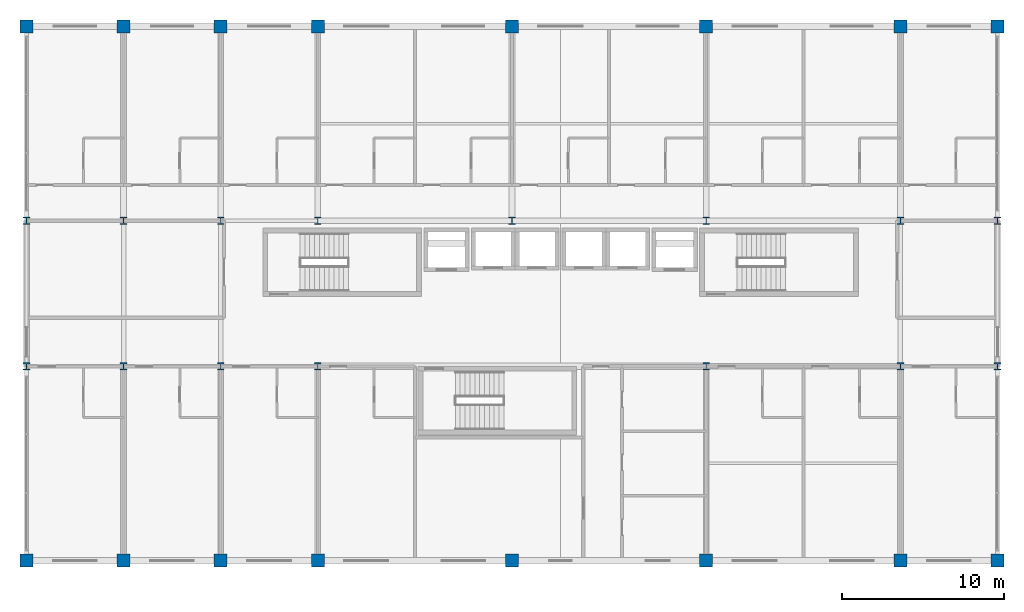
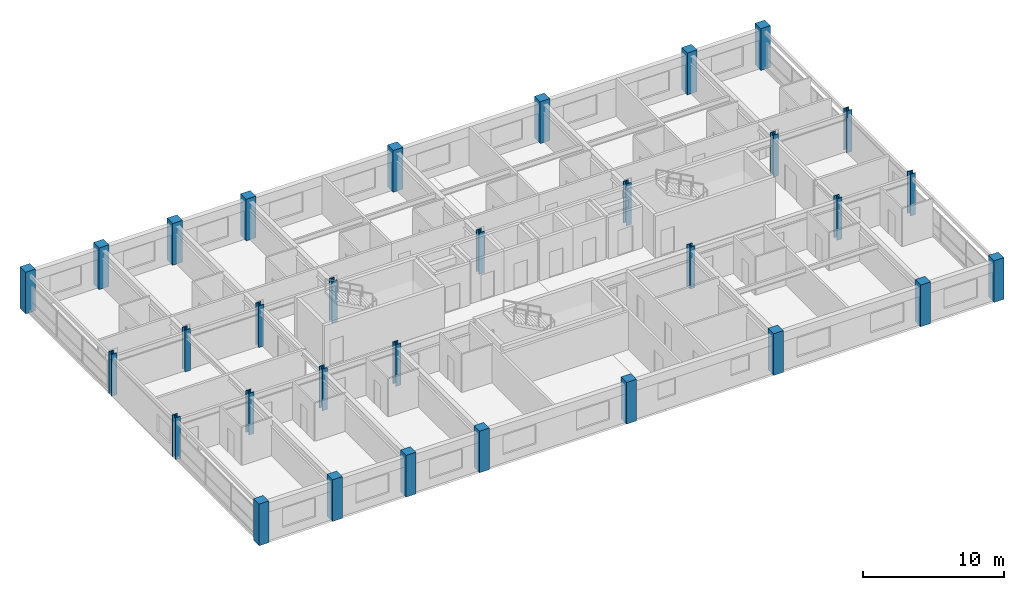
# One storey, part 1 of 26: 31 columns.
"""IFC4 building model written with IfcOpenShell, lengths in metres."""

from ifc_helpers import new_model, si_unit, direction, frame, origin, origin_2d, place, context, subcontext, project, spatial, rectangle, i_section, extrude, material, material_profile, profile_set, type_object, element, save


model = new_model("IFC4")

# Units and contexts
model_context = context("Model", 3, precision=1e-05, world=origin(), true_north=direction((0.0, 1.0)))
body_context = subcontext(model_context, "Body", "Model", "MODEL_VIEW")
ifc_project = project(units=[si_unit("LENGTHUNIT", "METRE"), si_unit("AREAUNIT", "SQUARE_METRE"), si_unit("VOLUMEUNIT", "CUBIC_METRE"), si_unit("PLANEANGLEUNIT", "RADIAN"), si_unit("MASSUNIT", "GRAM", prefix="KILO")], contexts=[model_context])

# Site, building, storey
site_placement = place(None, origin())
site = spatial("IfcSite", under=ifc_project, at=site_placement, CompositionType="ELEMENT")
building_placement = place(site_placement, origin())
building = spatial("IfcBuilding", under=site, at=building_placement, Name="Kaldorvane Square Convention Centre", CompositionType="ELEMENT")
storey_placement = place(building_placement, frame((0.0, 0.0, 42.0)))
storey = spatial("IfcBuildingStorey", under=building, at=storey_placement, Name="L09", CompositionType="ELEMENT", Elevation=42.0)

# Columns
ifc_material_1 = material(Name="Concrete f'c = 42 MPa (Normalweight)", Category="concrete")
ifc_material_profile_1 = material_profile(ifc_material_1, rectangle(XDim=0.8000030517578125, YDim=0.8000030517578125, at=origin_2d()), Name="RC800X800")
ifc_profile_set_1 = profile_set([ifc_material_profile_1], Name="Concrete f'c = 42 MPa (Normalweight)")
column_type_1 = type_object("IfcColumnType", Name="COL-RC-800", PredefinedType="COLUMN", material=ifc_profile_set_1)
for number, where, z_axis, x_axis, name in (
    (1, (24.0, 84.0, 0.0), (0.0, 0.0, 1.0), (1.0, 0.0, 0.0), "Column CC-04 (L09)"),
    (2, (24.0, 117.0, 0.0), (0.0, 0.0, 1.0), (1.0, 0.0, 0.0), "Column CC-04 (L09)"),
    (3, (30.0, 84.0, 0.0), (0.0, 0.0, 1.0), (1.0, 0.0, 0.0), "Column CC-04 (L09)"),
    (4, (30.0, 117.0, 0.0), (0.0, 0.0, 1.0), (1.0, 0.0, 0.0), "Column CC-04 (L09)"),
    (5, (36.0, 84.0, 0.0), (0.0, 0.0, 1.0), (1.0, 0.0, 0.0), "Column CC-04 (L09)"),
    (6, (36.0, 117.0, 0.0), (0.0, 0.0, 1.0), (1.0, 0.0, 0.0), "Column CC-04 (L09)"),
    (7, (42.0, 84.0, 0.0), (0.0, 0.0, 1.0), (1.0, 0.0, 0.0), "Column CC-04 (L09)"),
    (8, (42.0, 117.0, 0.0), (0.0, 0.0, 1.0), (1.0, 0.0, 0.0), "Column CC-04 (L09)"),
    (9, (54.0, 84.0, 0.0), (0.0, 0.0, 1.0), (1.0, 0.0, 0.0), "Column CC-04 (L09)"),
    (10, (54.0, 117.0, 0.0), (0.0, 0.0, 1.0), (1.0, 0.0, 0.0), "Column CC-04 (L09)"),
    (11, (66.0, 84.0, 0.0), (0.0, 0.0, 1.0), (1.0, 0.0, 0.0), "Column CC-04 (L09)"),
    (12, (66.0, 117.0, 0.0), (0.0, 0.0, 1.0), (1.0, 0.0, 0.0), "Column CC-04 (L09)"),
    (13, (78.0, 84.0, 0.0), (0.0, 0.0, 1.0), (1.0, 0.0, 0.0), "Column CC-04 (L09)"),
    (14, (78.0, 117.0, 0.0), (0.0, 0.0, 1.0), (1.0, 0.0, 0.0), "Column CC-04 (L09)"),
    (15, (84.0, 84.0, 0.0), (0.0, 0.0, 1.0), (1.0, 0.0, 0.0), "Column CC-04 (L09)"),
    (16, (84.0, 117.0, 0.0), (0.0, 0.0, 1.0), (1.0, 0.0, 0.0), "Column CC-04 (L09)"),
):
    element("IfcColumn", number, at=place(storey_placement, frame(where, z_axis=z_axis, x_axis=x_axis)), inside=storey, type_object=column_type_1, Name=name, PredefinedType="COLUMN", context=body_context, shape_type="SweptSolid", body=[
        extrude(rectangle(XDim=0.8000030517578125, YDim=0.8000030517578125, at=origin_2d()), origin(), (0.0, 0.0, 1.0), 3.600006103515625),
    ])
ifc_material_2 = material(Name="Steel ASTM A992 Gr. 50", Category="steel")
ifc_material_profile_2 = material_profile(ifc_material_2, i_section(OverallWidth=0.4185028076171875, OverallDepth=0.4552001953125, WebThickness=0.0420074462890625, FlangeThickness=0.067596435546875, FilletRadius=0.0305023193359375, at=origin_2d()), Name="W14X370")
ifc_profile_set_2 = profile_set([ifc_material_profile_2], Name="Steel ASTM A992 Gr. 50")
column_type_2 = type_object("IfcColumnType", Name="COL-STL-370", PredefinedType="COLUMN", material=ifc_profile_set_2)
for number, where, z_axis, x_axis, name in (
    (17, (24.0, 96.0, 0.0), (0.0, 0.0, 1.0), (1.0, 0.0, 0.0), "Column SC-05 (L09)"),
    (18, (24.0, 105.0, 0.0), (0.0, 0.0, 1.0), (1.0, 0.0, 0.0), "Column SC-05 (L09)"),
    (19, (30.0, 96.0, 0.0), (0.0, 0.0, 1.0), (1.0, 0.0, 0.0), "Column SC-05 (L09)"),
    (20, (30.0, 105.0, 0.0), (0.0, 0.0, 1.0), (1.0, 0.0, 0.0), "Column SC-05 (L09)"),
    (21, (36.0, 96.0, 0.0), (0.0, 0.0, 1.0), (1.0, 0.0, 0.0), "Column SC-05 (L09)"),
    (22, (36.0, 105.0, 0.0), (0.0, 0.0, 1.0), (1.0, 0.0, 0.0), "Column SC-05 (L09)"),
    (23, (42.0, 96.0, 0.0), (0.0, 0.0, 1.0), (1.0, 0.0, 0.0), "Column SC-05 (L09)"),
    (24, (42.0, 105.0, 0.0), (0.0, 0.0, 1.0), (1.0, 0.0, 0.0), "Column SC-05 (L09)"),
    (25, (54.0, 105.0, 0.0), (0.0, 0.0, 1.0), (1.0, 0.0, 0.0), "Column SC-05 (L09)"),
    (26, (66.0, 96.0, 0.0), (0.0, 0.0, 1.0), (1.0, 0.0, 0.0), "Column SC-05 (L09)"),
    (27, (66.0, 105.0, 0.0), (0.0, 0.0, 1.0), (1.0, 0.0, 0.0), "Column SC-05 (L09)"),
    (28, (78.0, 96.0, 0.0), (0.0, 0.0, 1.0), (1.0, 0.0, 0.0), "Column SC-05 (L09)"),
    (29, (78.0, 105.0, 0.0), (0.0, 0.0, 1.0), (1.0, 0.0, 0.0), "Column SC-05 (L09)"),
    (30, (84.0, 96.0, 0.0), (0.0, 0.0, 1.0), (1.0, 0.0, 0.0), "Column SC-05 (L09)"),
    (31, (84.0, 105.0, 0.0), (0.0, 0.0, 1.0), (1.0, 0.0, 0.0), "Column SC-05 (L09)"),
):
    element("IfcColumn", number, at=place(storey_placement, frame(where, z_axis=z_axis, x_axis=x_axis)), inside=storey, type_object=column_type_2, Name=name, PredefinedType="COLUMN", context=body_context, shape_type="SweptSolid", body=[
        extrude(i_section(OverallWidth=0.4185028076171875, OverallDepth=0.4552001953125, WebThickness=0.0420074462890625, FlangeThickness=0.067596435546875, FilletRadius=0.0305023193359375, at=origin_2d()), origin(), (0.0, 0.0, 1.0), 3.600006103515625),
    ])

save(model, "model.ifc")
